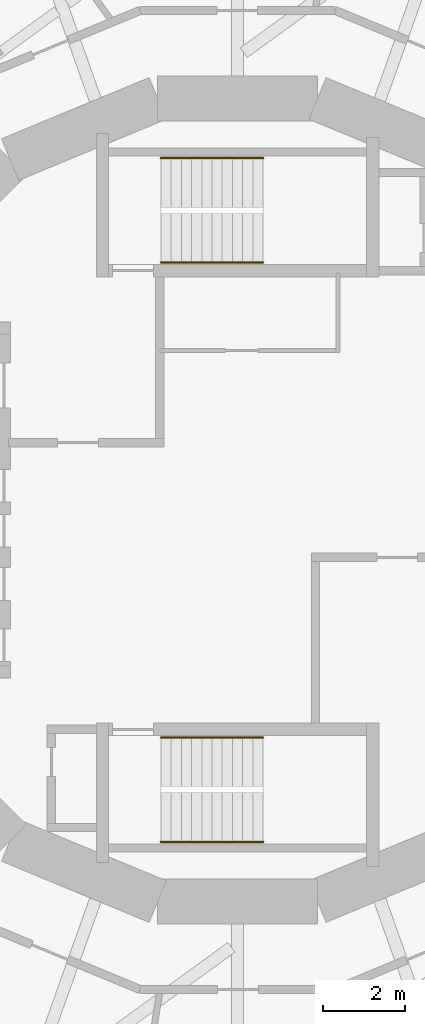
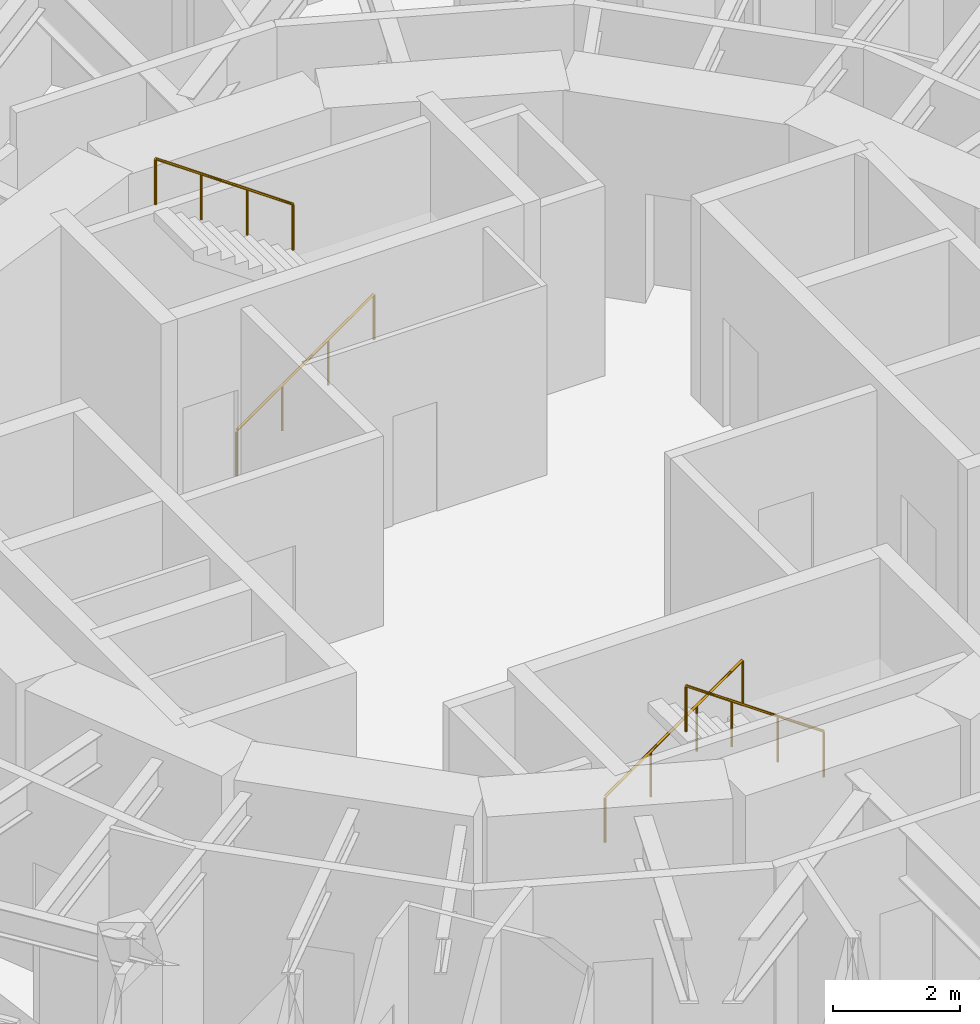
# One storey, part 9 of 9: 4 railings.
"""IFC4 building model written with IfcOpenShell, lengths in metres."""

from ifc_helpers import new_model, si_unit, direction, frame, origin, origin_2d, place, context, subcontext, project, spatial, circle, extrude, material, type_object, element, save


model = new_model("IFC4")

# Units and contexts
model_context = context("Model", 3, precision=1e-05, world=origin(), true_north=direction((0.0, 1.0)))
body_context = subcontext(model_context, "Body", "Model", "MODEL_VIEW")
ifc_project = project(units=[si_unit("LENGTHUNIT", "METRE"), si_unit("AREAUNIT", "SQUARE_METRE"), si_unit("VOLUMEUNIT", "CUBIC_METRE"), si_unit("PLANEANGLEUNIT", "RADIAN"), si_unit("MASSUNIT", "GRAM", prefix="KILO")], contexts=[model_context])

# Site, building, storey
site_placement = place(None, origin())
site = spatial("IfcSite", under=ifc_project, at=site_placement, CompositionType="ELEMENT")
building_placement = place(site_placement, origin())
building = spatial("IfcBuilding", under=site, at=building_placement, Name="Nakasero Lantern House", CompositionType="ELEMENT")
storey_placement = place(building_placement, frame((0.0, 0.0, 294.550048828125)))
storey = spatial("IfcBuildingStorey", under=building, at=storey_placement, Name="L72", CompositionType="ELEMENT", Elevation=294.550048828125)

# Railings
ifc_material = material(Name="Stainless steel 316", Category="steel")
railing_type = type_object("IfcRailingType", Name="Stair handrail 900", PredefinedType="HANDRAIL", material=ifc_material)
railing_1_placement = place(storey_placement, frame((-1.875, 5.800048828125, 0.175048828125)))
element("IfcRailing", 1, at=railing_1_placement, inside=storey, type_object=railing_type, Name="Handrail ST1 L72 flight 1", PredefinedType="HANDRAIL", context=body_context, shape_type="SweptSolid", body=[
    extrude(circle(Radius=0.02392578125, at=origin_2d()), frame((0.0, 0.0, 0.8759765625), z_axis=(0.819231920519, 0.0, 0.573462344363), x_axis=(0.0, 1.0, 0.0)), (0.0, 0.0, 1.0), 3.0517578125),
    extrude(circle(Radius=0.02099609375, at=origin_2d()), origin(), (0.0, 0.0, 1.0), 0.851806640625),
    extrude(circle(Radius=0.02099609375, at=origin_2d()), frame((0.833251953125, 0.0, 0.583251953125)), (0.0, 0.0, 1.0), 0.851806640625),
    extrude(circle(Radius=0.02099609375, at=origin_2d()), frame((1.666748046875, 0.0, 1.166748046875)), (0.0, 0.0, 1.0), 0.851806640625),
    extrude(circle(Radius=0.02099609375, at=origin_2d()), frame((2.5, 0.0, 1.75)), (0.0, 0.0, 1.0), 0.851806640625),
])
railing_2_placement = place(storey_placement, frame((0.625, 8.35009765625, 2.099853515625)))
element("IfcRailing", 2, at=railing_2_placement, inside=storey, type_object=railing_type, Name="Handrail ST1 L72 flight 2", PredefinedType="HANDRAIL", context=body_context, shape_type="SweptSolid", body=[
    extrude(circle(Radius=0.02392578125, at=origin_2d()), frame((0.0, 0.0, 0.8759765625), z_axis=(-0.819231920519, 0.0, 0.573462344363), x_axis=(0.0, -1.0, 0.0)), (0.0, 0.0, 1.0), 3.0517578125),
    extrude(circle(Radius=0.02099609375, at=origin_2d()), origin(), (0.0, 0.0, 1.0), 0.851806640625),
    extrude(circle(Radius=0.02099609375, at=origin_2d()), frame((-0.833251953125, 0.0, 0.583251953125)), (0.0, 0.0, 1.0), 0.851806640625),
    extrude(circle(Radius=0.02099609375, at=origin_2d()), frame((-1.666748046875, 0.0, 1.166748046875)), (0.0, 0.0, 1.0), 0.851806640625),
    extrude(circle(Radius=0.02099609375, at=origin_2d()), frame((-2.5, 0.0, 1.75)), (0.0, 0.0, 1.0), 0.851806640625),
])
railing_3_placement = place(storey_placement, frame((-1.875, -5.800048828125, 0.175048828125)))
element("IfcRailing", 3, at=railing_3_placement, inside=storey, type_object=railing_type, Name="Handrail ST2 L72 flight 1", PredefinedType="HANDRAIL", context=body_context, shape_type="SweptSolid", body=[
    extrude(circle(Radius=0.02392578125, at=origin_2d()), frame((0.0, 0.0, 0.8759765625), z_axis=(0.819231920519, 0.0, 0.573462344363), x_axis=(0.0, 1.0, 0.0)), (0.0, 0.0, 1.0), 3.0517578125),
    extrude(circle(Radius=0.02099609375, at=origin_2d()), origin(), (0.0, 0.0, 1.0), 0.851806640625),
    extrude(circle(Radius=0.02099609375, at=origin_2d()), frame((0.833251953125, 0.0, 0.583251953125)), (0.0, 0.0, 1.0), 0.851806640625),
    extrude(circle(Radius=0.02099609375, at=origin_2d()), frame((1.666748046875, 0.0, 1.166748046875)), (0.0, 0.0, 1.0), 0.851806640625),
    extrude(circle(Radius=0.02099609375, at=origin_2d()), frame((2.5, 0.0, 1.75)), (0.0, 0.0, 1.0), 0.851806640625),
])
railing_4_placement = place(storey_placement, frame((0.625, -8.35009765625, 2.099853515625)))
element("IfcRailing", 4, at=railing_4_placement, inside=storey, type_object=railing_type, Name="Handrail ST2 L72 flight 2", PredefinedType="HANDRAIL", context=body_context, shape_type="SweptSolid", body=[
    extrude(circle(Radius=0.02392578125, at=origin_2d()), frame((0.0, 0.0, 0.8759765625), z_axis=(-0.819231920519, 0.0, 0.573462344363), x_axis=(0.0, -1.0, 0.0)), (0.0, 0.0, 1.0), 3.0517578125),
    extrude(circle(Radius=0.02099609375, at=origin_2d()), origin(), (0.0, 0.0, 1.0), 0.851806640625),
    extrude(circle(Radius=0.02099609375, at=origin_2d()), frame((-0.833251953125, 0.0, 0.583251953125)), (0.0, 0.0, 1.0), 0.851806640625),
    extrude(circle(Radius=0.02099609375, at=origin_2d()), frame((-1.666748046875, 0.0, 1.166748046875)), (0.0, 0.0, 1.0), 0.851806640625),
    extrude(circle(Radius=0.02099609375, at=origin_2d()), frame((-2.5, 0.0, 1.75)), (0.0, 0.0, 1.0), 0.851806640625),
])

save(model, "model.ifc")
